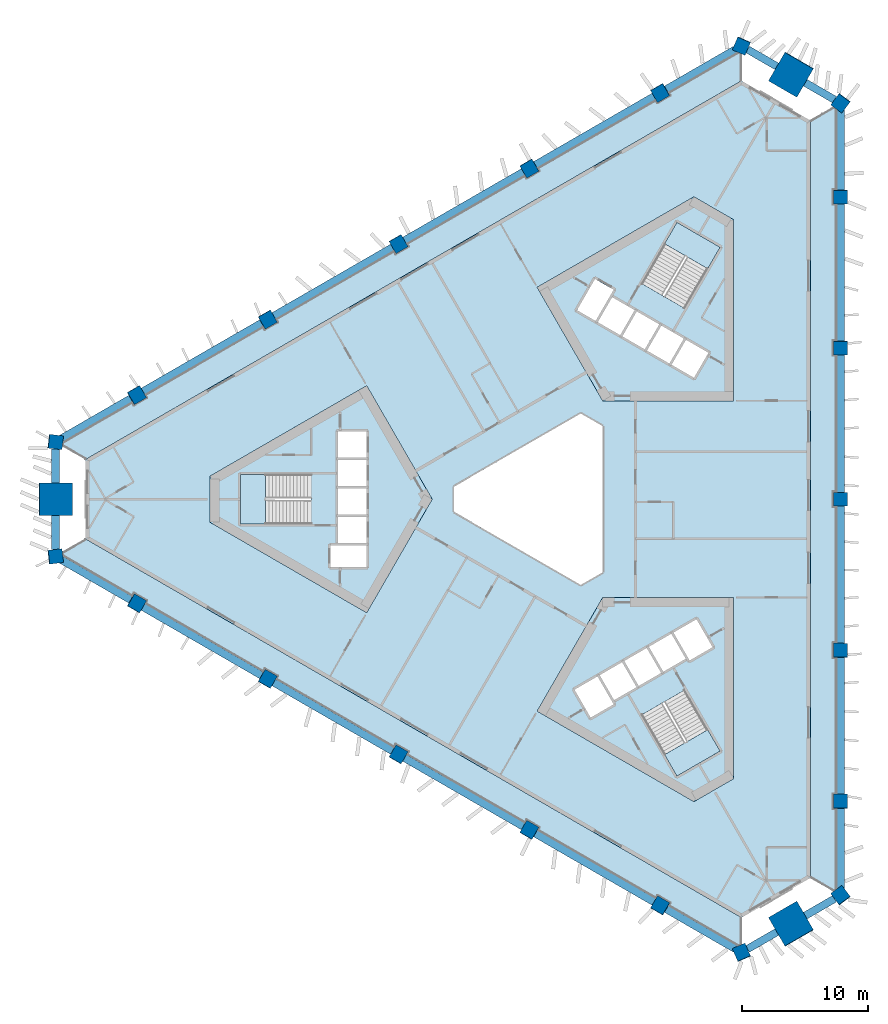
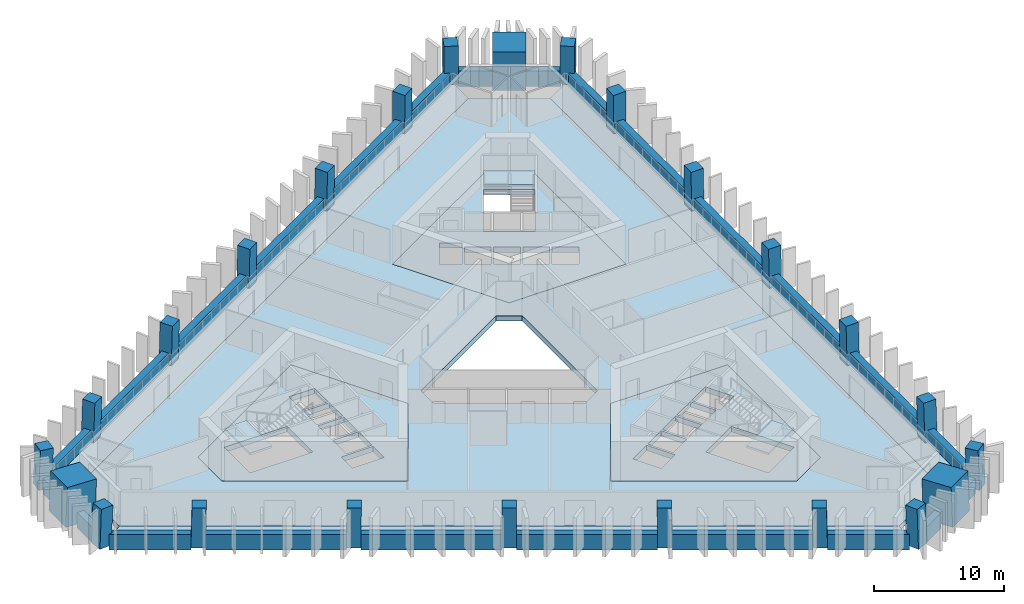
# One storey, part 1 of 10: 24 beams, 24 columns, 10 slabs, 3 elements without a shape of their own.
"""IFC4 building model written with IfcOpenShell, lengths in metres."""

from ifc_helpers import new_model, si_unit, direction, frame, origin, origin_2d, place, context, subcontext, project, spatial, polyline, rectangle, outline, extrude, material, layer, layer_set, material_profile, profile_set, type_object, element, aggregate, save


model = new_model("IFC4")

# Units and contexts
model_context = context("Model", 3, precision=1e-05, world=origin(), true_north=direction((0.0, 1.0)))
body_context = subcontext(model_context, "Body", "Model", "MODEL_VIEW")
ifc_project = project(units=[si_unit("LENGTHUNIT", "METRE"), si_unit("AREAUNIT", "SQUARE_METRE"), si_unit("VOLUMEUNIT", "CUBIC_METRE"), si_unit("PLANEANGLEUNIT", "RADIAN"), si_unit("MASSUNIT", "GRAM", prefix="KILO")], contexts=[model_context])

# Site, building, storey
site_placement = place(None, origin())
site = spatial("IfcSite", under=ifc_project, at=site_placement, CompositionType="ELEMENT")
building_placement = place(site_placement, origin())
building = spatial("IfcBuilding", under=site, at=building_placement, Name="Jabali Bay Hotel Tower and Convention Centre", CompositionType="ELEMENT")
storey_placement = place(building_placement, frame((0.0, 0.0, 64.699951171875)))
storey = spatial("IfcBuildingStorey", under=building, at=storey_placement, Name="L14", CompositionType="ELEMENT", Elevation=64.699951171875)

# Columns
ifc_material_1 = material(Name="Concrete C60", Category="concrete")
ifc_material_profile_1 = material_profile(ifc_material_1, rectangle(XDim=1.10009765625, YDim=1.10009765625, at=origin_2d()), Name="Frame column 1100")
ifc_profile_set_1 = profile_set([ifc_material_profile_1], Name="Concrete C60")
column_type_1 = type_object("IfcColumnType", Name="Frame column 1100", PredefinedType="COLUMN", material=ifc_profile_set_1)
column_1_placement = place(storey_placement, frame((84.057861328125, 112.191162109375, 0.0), z_axis=(-0.00837646992, -0.028097450282, 0.999570091609), x_axis=(0.866172944967, 0.499290516463, 0.0212934163)))
element("IfcColumn", 1, at=column_1_placement, inside=storey, type_object=column_type_1, Name="FC2 F1.1 L14", PredefinedType="COLUMN", context=body_context, shape_type="SweptSolid", body=[
    extrude(rectangle(XDim=1.10009765625, YDim=1.10009765625, at=origin_2d()), origin(), (0.0, 0.0, 1.0), 3.70166015625),
])
column_2_placement = place(storey_placement, frame((73.691650390625, 106.206298828125, 0.0), z_axis=(0.000857578916, -0.022824792675, 0.999739112668), x_axis=(0.866054076895, 0.49983648719, 0.010668737814)))
element("IfcColumn", 2, at=column_2_placement, inside=storey, type_object=column_type_1, Name="FC2 F1.2 L14", PredefinedType="COLUMN", context=body_context, shape_type="SweptSolid", body=[
    extrude(rectangle(XDim=1.10009765625, YDim=1.10009765625, at=origin_2d()), origin(), (0.0, 0.0, 1.0), 3.700927734375),
])
column_3_placement = place(storey_placement, frame((63.3251953125, 100.22119140625, 0.0), z_axis=(0.010093620709, -0.017482414954, 0.999796221231), x_axis=(-0.499902890187, 0.86584616669, 0.020187025825)))
element("IfcColumn", 3, at=column_3_placement, inside=storey, type_object=column_type_1, Name="FC2 F1.3 L14", PredefinedType="COLUMN", context=body_context, shape_type="SweptSolid", body=[
    extrude(rectangle(XDim=1.10009765625, YDim=1.10009765625, at=origin_2d()), origin(), (0.0, 0.0, 1.0), 3.70068359375),
])
column_4_placement = place(storey_placement, frame((52.958984375, 94.236328125, 0.0), z_axis=(0.019328501455, -0.012204002625, 0.999738701537), x_axis=(-0.498096589224, 0.866885952098, 0.020212220507)))
element("IfcColumn", 4, at=column_4_placement, inside=storey, type_object=column_type_1, Name="FC2 F1.4 L14", PredefinedType="COLUMN", context=body_context, shape_type="SweptSolid", body=[
    extrude(rectangle(XDim=1.10009765625, YDim=1.10009765625, at=origin_2d()), origin(), (0.0, 0.0, 1.0), 3.700927734375),
])
for number, where, z_axis, x_axis, name in (
    (5, (42.592529296875, 88.251220703125, 0.0), (0.02855911485, -0.006793507689, 0.999569019734), (-0.500405785832, 0.865555785013, 0.020180003373), "FC2 F1.5 L14"),
    (6, (42.592529296875, 71.748779296875, 0.0), (0.02855911485, 0.006793507689, 0.999569019734), (-0.865319840559, 0.500766443848, 0.021319996519), "FC2 F2.1 L14"),
):
    element("IfcColumn", number, at=place(storey_placement, frame(where, z_axis=z_axis, x_axis=x_axis)), inside=storey, type_object=column_type_1, Name=name, PredefinedType="COLUMN", context=body_context, shape_type="SweptSolid", body=[
        extrude(rectangle(XDim=1.10009765625, YDim=1.10009765625, at=origin_2d()), origin(), (0.0, 0.0, 1.0), 3.70166015625),
    ])
column_5_placement = place(storey_placement, frame((52.958984375, 65.763671875, 0.0), z_axis=(0.019328501455, 0.012204002625, 0.999738701537), x_axis=(-0.866906106124, 0.498357109285, 0.010676834304)))
element("IfcColumn", 7, at=column_5_placement, inside=storey, type_object=column_type_1, Name="FC2 F2.2 L14", PredefinedType="COLUMN", context=body_context, shape_type="SweptSolid", body=[
    extrude(rectangle(XDim=1.10009765625, YDim=1.10009765625, at=origin_2d()), origin(), (0.0, 0.0, 1.0), 3.700927734375),
])
column_6_placement = place(storey_placement, frame((63.3251953125, 59.77880859375, 0.0), z_axis=(0.010093620709, 0.017482414954, 0.999796221231), x_axis=(-0.866022643586, 0.500004780773, 1.3036e-08)))
element("IfcColumn", 8, at=column_6_placement, inside=storey, type_object=column_type_1, Name="FC2 F2.3 L14", PredefinedType="COLUMN", context=body_context, shape_type="SweptSolid", body=[
    extrude(rectangle(XDim=1.10009765625, YDim=1.10009765625, at=origin_2d()), origin(), (0.0, 0.0, 1.0), 3.70068359375),
])
column_7_placement = place(storey_placement, frame((73.691650390625, 53.793701171875, 0.0), z_axis=(0.000857578916, 0.022824792675, 0.999739112668), x_axis=(-0.499949597911, -0.865818985073, 0.020196153983)))
element("IfcColumn", 9, at=column_7_placement, inside=storey, type_object=column_type_1, Name="FC2 F2.4 L14", PredefinedType="COLUMN", context=body_context, shape_type="SweptSolid", body=[
    extrude(rectangle(XDim=1.10009765625, YDim=1.10009765625, at=origin_2d()), origin(), (0.0, 0.0, 1.0), 3.700927734375),
])
for number, where, z_axis, x_axis, name in (
    (10, (84.057861328125, 47.808837890625, 0.0), (-0.00837646992, 0.028097450282, 0.999570091609), (-0.499674157986, -0.865978933611, 0.020154959265), "FC2 F2.5 L14"),
    (11, (98.349365234375, 56.06005859375, 0.0), (-0.020182659751, 0.021303918626, 0.999569308901), (0.000228267203, -0.99977282903, 0.021312865295), "FC2 F0.1 L14"),
):
    element("IfcColumn", number, at=place(storey_placement, frame(where, z_axis=z_axis, x_axis=x_axis)), inside=storey, type_object=column_type_1, Name=name, PredefinedType="COLUMN", context=body_context, shape_type="SweptSolid", body=[
        extrude(rectangle(XDim=1.10009765625, YDim=1.10009765625, at=origin_2d()), origin(), (0.0, 0.0, 1.0), 3.70166015625),
    ])
column_8_placement = place(storey_placement, frame((98.349365234375, 68.030029296875, 0.0), z_axis=(-0.020186088539, 0.010686752756, 0.999739123544), x_axis=(-0.001012906877, -0.999942577175, 0.010668475618)))
element("IfcColumn", 12, at=column_8_placement, inside=storey, type_object=column_type_1, Name="FC2 F0.2 L14", PredefinedType="COLUMN", context=body_context, shape_type="SweptSolid", body=[
    extrude(rectangle(XDim=1.10009765625, YDim=1.10009765625, at=origin_2d()), origin(), (0.0, 0.0, 1.0), 3.700927734375),
])
column_9_placement = place(storey_placement, frame((98.349365234375, 80.0, 0.0), z_axis=(-0.020187241331, 0.0, 0.99979621688), x_axis=(0.0, -1.0, 0.0)))
element("IfcColumn", 13, at=column_9_placement, inside=storey, type_object=column_type_1, Name="FC2 F0.3 L14", PredefinedType="COLUMN", context=body_context, shape_type="SweptSolid", body=[
    extrude(rectangle(XDim=1.10009765625, YDim=1.10009765625, at=origin_2d()), origin(), (0.0, 0.0, 1.0), 3.70068359375),
])
column_10_placement = place(storey_placement, frame((98.349365234375, 91.969970703125, 0.0), z_axis=(-0.020186088539, -0.010686752756, 0.999739123544), x_axis=(0.999795727061, 0.00079728784, 0.020195754082)))
element("IfcColumn", 14, at=column_10_placement, inside=storey, type_object=column_type_1, Name="FC2 F0.4 L14", PredefinedType="COLUMN", context=body_context, shape_type="SweptSolid", body=[
    extrude(rectangle(XDim=1.10009765625, YDim=1.10009765625, at=origin_2d()), origin(), (0.0, 0.0, 1.0), 3.700927734375),
])
column_11_placement = place(storey_placement, frame((98.349365234375, 103.93994140625, 0.0), z_axis=(-0.020182659751, -0.021303918626, 0.999569308901), x_axis=(0.999796283319, -0.000658319199, 0.020173211851)))
element("IfcColumn", 15, at=column_11_placement, inside=storey, type_object=column_type_1, Name="FC2 F0.5 L14", PredefinedType="COLUMN", context=body_context, shape_type="SweptSolid", body=[
    extrude(rectangle(XDim=1.10009765625, YDim=1.10009765625, at=origin_2d()), origin(), (0.0, 0.0, 1.0), 3.70166015625),
])
for number, where, z_axis, x_axis, name in (
    (16, (98.349365234375, 48.62255859375, 0.0), (-0.02017878048, 0.028949296179, 0.999377183584), (-0.801715105427, -0.59770529642, 0.00112621596), "FC2 V0 L14"),
    (17, (98.349365234375, 111.37744140625, 0.0), (-0.02017878048, -0.028949296179, 0.999377183584), (0.597365638909, 0.801193058434, 0.035270052007), "FC2 V1 L14"),
    (18, (90.4990234375, 115.909912109375, 0.0), (-0.015035141917, -0.031982648376, 0.99937533225), (0.918093083329, -0.396363241005, 0.001127618021), "FC2 V2 L14"),
    (19, (36.151611328125, 84.532470703125, 0.0), (0.03521388716, -0.002967462401, 0.999375393092), (-0.992658687507, 0.115677043011, 0.035320699839), "FC2 V3 L14"),
    (20, (36.151611328125, 75.467529296875, 0.0), (0.03521388716, 0.002967462401, 0.999375393092), (-0.11570960318, 0.993282445172, 0.001127761007), "FC2 V4 L14"),
    (21, (90.4990234375, 44.090087890625, 0.0), (-0.015035141917, 0.031982648376, 0.99937533225), (0.396079581461, -0.917536534086, 0.03532242584), "FC2 V5 L14"),
):
    element("IfcColumn", number, at=place(storey_placement, frame(where, z_axis=z_axis, x_axis=x_axis)), inside=storey, type_object=column_type_1, Name=name, PredefinedType="COLUMN", context=body_context, shape_type="SweptSolid", body=[
        extrude(rectangle(XDim=1.10009765625, YDim=1.10009765625, at=origin_2d()), origin(), (0.0, 0.0, 1.0), 3.7021484375),
    ])
ifc_material_2 = material(Name="Concrete C70", Category="concrete")
ifc_material_profile_2 = material_profile(ifc_material_2, rectangle(XDim=2.60009765625, YDim=2.60009765625, at=origin_2d()), Name="Mega column 2600")
ifc_profile_set_2 = profile_set([ifc_material_profile_2], Name="Concrete C70")
column_type_2 = type_object("IfcColumnType", Name="Mega column 2600", PredefinedType="COLUMN", material=ifc_profile_set_2)
for number, where, z_axis, x_axis, name in (
    (22, (94.42431640625, 113.643798828125, 0.0), (-0.017607037296, -0.030466109479, 0.999380712447), (0.865812389079, -0.500368770925, 1.01334e-07), "MC2 M1 L14"),
    (23, (36.151611328125, 80.0, 0.0), (0.035214042205, 0.0, 0.999379793288), (0.0, 1.0, 0.0), "MC2 M0 L14"),
    (24, (94.42431640625, 46.356201171875, 0.0), (-0.017607037296, 0.030466109479, 0.999380712447), (-0.865810468985, -0.500372093343, 3.3778e-08), "MC2 M2 L14"),
):
    element("IfcColumn", number, at=place(storey_placement, frame(where, z_axis=z_axis, x_axis=x_axis)), inside=storey, type_object=column_type_2, Name=name, PredefinedType="COLUMN", context=body_context, shape_type="SweptSolid", body=[
        extrude(rectangle(XDim=2.60009765625, YDim=2.60009765625, at=origin_2d()), origin(), (0.0, 0.0, 1.0), 3.7021484375),
    ])

# Beams
ifc_material_profile_3 = material_profile(ifc_material_1, rectangle(XDim=0.60009765625, YDim=1.449951171875, at=origin_2d()), Name="Spandrel 600x1450")
ifc_profile_set_3 = profile_set([ifc_material_profile_3], Name="Concrete C60")
beam_type = type_object("IfcBeamType", Name="Spandrel 600x1450", PredefinedType="SPANDREL", material=ifc_profile_set_3)
beam_1_placement = place(storey_placement, frame((93.291748046875, 114.2822265625, 0.375), z_axis=(-0.865993009513, 0.500056104326, 0.0), x_axis=(-0.500056104326, -0.865993009513, 0.0)))
element("IfcBeam", 25, at=beam_1_placement, inside=storey, type_object=beam_type, Name="Spandrel M1-V2 L14", PredefinedType="SPANDREL", context=body_context, shape_type="SweptSolid", body=[
    extrude(rectangle(XDim=0.60009765625, YDim=1.449951171875, at=origin_2d()), origin(), (0.0, 0.0, 1.0), 2.681396484375),
])
beam_2_placement = place(storey_placement, frame((90.01708984375, 115.623046875, 0.375), z_axis=(-0.866019360958, -0.500010466337, 0.0), x_axis=(0.500010466337, -0.866019360958, 0.0)))
element("IfcBeam", 26, at=beam_2_placement, inside=storey, type_object=beam_type, Name="Spandrel V2-F1.1 L14", PredefinedType="SPANDREL", context=body_context, shape_type="SweptSolid", body=[
    extrude(rectangle(XDim=0.60009765625, YDim=1.449951171875, at=origin_2d()), origin(), (0.0, 0.0, 1.0), 6.334716796875),
])
for number, where, z_axis, x_axis, name in (
    (27, (83.578369140625, 111.90576171875, 0.375), (-0.866019457076, -0.500010299859, 0.0), (0.500010299859, -0.866019457076, 0.0), "Spandrel F1.1-F1.2 L14"),
    (28, (73.215576171875, 105.922607421875, 0.375), (-0.866029186229, -0.499993448556, 0.0), (0.499993448556, -0.866029186229, 0.0), "Spandrel F1.2-F1.3 L14"),
    (29, (62.852783203125, 99.939697265625, 0.375), (-0.866019457076, -0.500010299859, 0.0), (0.500010299859, -0.866019457076, 0.0), "Spandrel F1.3-F1.4 L14"),
    (30, (52.489990234375, 93.95654296875, 0.375), (-0.866034803065, -0.499983719616, 0.0), (0.499983719616, -0.866034803065, 0.0), "Spandrel F1.4-F1.5 L14"),
):
    element("IfcBeam", number, at=place(storey_placement, frame(where, z_axis=z_axis, x_axis=x_axis)), inside=storey, type_object=beam_type, Name=name, PredefinedType="SPANDREL", context=body_context, shape_type="SweptSolid", body=[
        extrude(rectangle(XDim=0.60009765625, YDim=1.449951171875, at=origin_2d()), origin(), (0.0, 0.0, 1.0), 10.865966796875),
    ])
beam_3_placement = place(storey_placement, frame((42.126953125, 87.9736328125, 0.375), z_axis=(-0.866026414276, -0.499998249773, 0.0), x_axis=(0.499998249773, -0.866026414276, 0.0)))
element("IfcBeam", 31, at=beam_3_placement, inside=storey, type_object=beam_type, Name="Spandrel F1.5-V3 L14", PredefinedType="SPANDREL", context=body_context, shape_type="SweptSolid", body=[
    extrude(rectangle(XDim=0.60009765625, YDim=1.449951171875, at=origin_2d()), origin(), (0.0, 0.0, 1.0), 6.33447265625),
])
for number, where, z_axis, x_axis, name in (
    (32, (36.164794921875, 83.9814453125, 0.375), (0.0, -1.0, 0.0), (1.0, 0.0, 0.0), "Spandrel V3-M0 L14"),
    (33, (36.164794921875, 78.699951171875, 0.375), (0.0, -1.0, 0.0), (1.0, 0.0, 0.0), "Spandrel M0-V4 L14"),
):
    element("IfcBeam", number, at=place(storey_placement, frame(where, z_axis=z_axis, x_axis=x_axis)), inside=storey, type_object=beam_type, Name=name, PredefinedType="SPANDREL", context=body_context, shape_type="SweptSolid", body=[
        extrude(rectangle(XDim=0.60009765625, YDim=1.449951171875, at=origin_2d()), origin(), (0.0, 0.0, 1.0), 2.681396484375),
    ])
beam_4_placement = place(storey_placement, frame((36.64111328125, 75.193603515625, 0.375), z_axis=(0.866026414276, -0.499998249773, 0.0), x_axis=(0.499998249773, 0.866026414276, 0.0)))
element("IfcBeam", 34, at=beam_4_placement, inside=storey, type_object=beam_type, Name="Spandrel V4-F2.1 L14", PredefinedType="SPANDREL", context=body_context, shape_type="SweptSolid", body=[
    extrude(rectangle(XDim=0.60009765625, YDim=1.449951171875, at=origin_2d()), origin(), (0.0, 0.0, 1.0), 6.33447265625),
])
for number, where, z_axis, x_axis, name in (
    (35, (43.07958984375, 71.476318359375, 0.375), (0.866034803065, -0.499983719616, 0.0), (0.499983719616, 0.866034803065, 0.0), "Spandrel F2.1-F2.2 L14"),
    (36, (53.442626953125, 65.493408203125, 0.375), (0.866019457076, -0.500010299859, 0.0), (0.500010299859, 0.866019457076, 0.0), "Spandrel F2.2-F2.3 L14"),
    (37, (63.805419921875, 59.51025390625, 0.375), (0.866029186229, -0.499993448556, 0.0), (0.499993448556, 0.866029186229, 0.0), "Spandrel F2.3-F2.4 L14"),
    (38, (74.168212890625, 53.52734375, 0.375), (0.866019457076, -0.500010299859, 0.0), (0.500010299859, 0.866019457076, 0.0), "Spandrel F2.4-F2.5 L14"),
):
    element("IfcBeam", number, at=place(storey_placement, frame(where, z_axis=z_axis, x_axis=x_axis)), inside=storey, type_object=beam_type, Name=name, PredefinedType="SPANDREL", context=body_context, shape_type="SweptSolid", body=[
        extrude(rectangle(XDim=0.60009765625, YDim=1.449951171875, at=origin_2d()), origin(), (0.0, 0.0, 1.0), 10.865966796875),
    ])
beam_5_placement = place(storey_placement, frame((84.531005859375, 47.54443359375, 0.375), z_axis=(0.866019360958, -0.500010466337, 0.0), x_axis=(0.500010466337, 0.866019360958, 0.0)))
element("IfcBeam", 39, at=beam_5_placement, inside=storey, type_object=beam_type, Name="Spandrel F2.5-V5 L14", PredefinedType="SPANDREL", context=body_context, shape_type="SweptSolid", body=[
    extrude(rectangle(XDim=0.60009765625, YDim=1.449951171875, at=origin_2d()), origin(), (0.0, 0.0, 1.0), 6.334716796875),
])
for number, where, z_axis, x_axis, name in (
    (40, (90.9697265625, 44.376953125, 0.375), (0.865993009513, 0.500056104326, 0.0), (-0.500056104326, 0.865993009513, 0.0), "Spandrel V5-M2 L14"),
    (41, (95.54345703125, 47.017578125, 0.375), (0.865993009513, 0.500056104326, 0.0), (-0.500056104326, 0.865993009513, 0.0), "Spandrel M2-V0 L14"),
):
    element("IfcBeam", number, at=place(storey_placement, frame(where, z_axis=z_axis, x_axis=x_axis)), inside=storey, type_object=beam_type, Name=name, PredefinedType="SPANDREL", context=body_context, shape_type="SweptSolid", body=[
        extrude(rectangle(XDim=0.60009765625, YDim=1.449951171875, at=origin_2d()), origin(), (0.0, 0.0, 1.0), 2.681396484375),
    ])
beam_6_placement = place(storey_placement, frame((98.341796875, 49.183349609375, 0.375), z_axis=(0.0, 1.0, 0.0), x_axis=(-1.0, 0.0, 0.0)))
element("IfcBeam", 42, at=beam_6_placement, inside=storey, type_object=beam_type, Name="Spandrel V0-F0.1 L14", PredefinedType="SPANDREL", context=body_context, shape_type="SweptSolid", body=[
    extrude(rectangle(XDim=0.60009765625, YDim=1.449951171875, at=origin_2d()), origin(), (0.0, 0.0, 1.0), 6.334716796875),
])
for number, where, z_axis, x_axis, name in (
    (43, (98.341796875, 56.617919921875, 0.375), (0.0, 1.0, 0.0), (-1.0, 0.0, 0.0), "Spandrel F0.1-F0.2 L14"),
    (44, (98.341796875, 68.583984375, 0.375), (0.0, 1.0, 0.0), (-1.0, 0.0, 0.0), "Spandrel F0.2-F0.3 L14"),
    (45, (98.341796875, 80.550048828125, 0.375), (0.0, 1.0, 0.0), (-1.0, 0.0, 0.0), "Spandrel F0.3-F0.4 L14"),
    (46, (98.341796875, 92.51611328125, 0.375), (0.0, 1.0, 0.0), (-1.0, 0.0, 0.0), "Spandrel F0.4-F0.5 L14"),
):
    element("IfcBeam", number, at=place(storey_placement, frame(where, z_axis=z_axis, x_axis=x_axis)), inside=storey, type_object=beam_type, Name=name, PredefinedType="SPANDREL", context=body_context, shape_type="SweptSolid", body=[
        extrude(rectangle(XDim=0.60009765625, YDim=1.449951171875, at=origin_2d()), origin(), (0.0, 0.0, 1.0), 10.865966796875),
    ])
beam_7_placement = place(storey_placement, frame((98.341796875, 104.48193359375, 0.375), z_axis=(0.0, 1.0, 0.0), x_axis=(-1.0, 0.0, 0.0)))
element("IfcBeam", 47, at=beam_7_placement, inside=storey, type_object=beam_type, Name="Spandrel F0.5-V1 L14", PredefinedType="SPANDREL", context=body_context, shape_type="SweptSolid", body=[
    extrude(rectangle(XDim=0.60009765625, YDim=1.449951171875, at=origin_2d()), origin(), (0.0, 0.0, 1.0), 6.334716796875),
])
beam_8_placement = place(storey_placement, frame((97.865478515625, 111.6416015625, 0.375), z_axis=(-0.865993009513, 0.500056104326, 0.0), x_axis=(-0.500056104326, -0.865993009513, 0.0)))
element("IfcBeam", 48, at=beam_8_placement, inside=storey, type_object=beam_type, Name="Spandrel V1-M1 L14", PredefinedType="SPANDREL", context=body_context, shape_type="SweptSolid", body=[
    extrude(rectangle(XDim=0.60009765625, YDim=1.449951171875, at=origin_2d()), origin(), (0.0, 0.0, 1.0), 2.681396484375),
])

# Slabs
ifc_material_3 = material(Name="Concrete C40", Category="concrete")
ifc_layer_1 = layer(ifc_material_3, 0.5)
ifc_layer_set_1 = layer_set([ifc_layer_1], Name="Concrete C40")
slab_type_1 = type_object("IfcSlabType", Name="Core floor slab 500", PredefinedType="FLOOR", material=ifc_layer_set_1)
slab_1_placement = place(storey_placement, frame((0.0, 0.0, -0.5)))
element("IfcSlab", 49, at=slab_1_placement, inside=storey, type_object=slab_type_1, Name="Core floor slab 1 L14", PredefinedType="FLOOR", context=body_context, shape_type="SweptSolid", body=[
    extrude(outline(polyline([(66.0, 80.0), (60.81005859375, 88.9892578125), (48.39697265625, 81.82275390625), (48.39697265625, 78.17724609375), (60.81005859375, 71.0107421875), (66.0, 80.0)]), holes=[polyline([(60.800048828125, 74.64990234375), (60.800048828125, 76.35009765625), (57.949951171875, 76.35009765625), (57.949951171875, 74.64990234375), (60.800048828125, 74.64990234375)]), polyline([(58.52001953125, 76.550048828125), (60.800048828125, 76.550048828125), (60.800048828125, 78.60009765625), (58.52001953125, 78.60009765625), (58.52001953125, 76.550048828125)]), polyline([(58.52001953125, 78.800048828125), (60.800048828125, 78.800048828125), (60.800048828125, 80.85009765625), (58.52001953125, 80.85009765625), (58.52001953125, 78.800048828125)]), polyline([(56.409912109375, 81.97509765625), (50.820068359375, 81.97509765625), (50.820068359375, 78.02490234375), (56.409912109375, 78.02490234375), (56.409912109375, 81.97509765625)]), polyline([(58.52001953125, 81.050048828125), (60.800048828125, 81.050048828125), (60.800048828125, 83.10009765625), (58.52001953125, 83.10009765625), (58.52001953125, 81.050048828125)]), polyline([(58.52001953125, 83.300048828125), (60.800048828125, 83.300048828125), (60.800048828125, 85.35009765625), (58.52001953125, 85.35009765625), (58.52001953125, 83.300048828125)])]), origin(), (0.0, 0.0, 1.0), 0.5),
])
slab_2_placement = place(storey_placement, frame((0.0, 0.0, -0.5)))
element("IfcSlab", 50, at=slab_2_placement, inside=storey, type_object=slab_type_1, Name="Core floor slab 2 L14", PredefinedType="FLOOR", context=body_context, shape_type="SweptSolid", body=[
    extrude(outline(polyline([(79.5, 87.794189453125), (89.8798828125, 87.794189453125), (89.8798828125, 102.127685546875), (86.72314453125, 103.9501953125), (74.31005859375, 96.78369140625), (79.5, 87.794189453125)]), holes=[polyline([(84.957763671875, 90.6474609375), (86.733154296875, 89.62255859375), (87.873291015625, 91.59716796875), (86.097900390625, 92.6220703125), (84.957763671875, 90.6474609375)]), polyline([(84.1494140625, 93.7470703125), (83.00927734375, 91.7724609375), (84.78466796875, 90.74755859375), (85.924560546875, 92.72216796875), (84.1494140625, 93.7470703125)]), polyline([(82.20068359375, 94.8720703125), (81.060791015625, 92.8974609375), (82.836181640625, 91.87255859375), (83.97607421875, 93.84716796875), (82.20068359375, 94.8720703125)]), polyline([(79.1123046875, 94.0224609375), (80.887451171875, 92.99755859375), (82.027587890625, 94.97216796875), (80.252197265625, 95.9970703125), (79.1123046875, 94.0224609375)]), polyline([(78.891845703125, 97.440673828125), (77.466796875, 94.97265625), (78.93896484375, 94.12255859375), (80.364013671875, 96.5908203125), (78.891845703125, 97.440673828125)]), polyline([(82.584716796875, 97.0869140625), (86.00537109375, 95.11181640625), (88.80029296875, 99.952880859375), (85.379638671875, 101.927978515625), (82.584716796875, 97.0869140625)])]), origin(), (0.0, 0.0, 1.0), 0.5),
])
slab_3_placement = place(storey_placement, frame((0.0, 0.0, -0.5)))
element("IfcSlab", 51, at=slab_3_placement, inside=storey, type_object=slab_type_1, Name="Core floor slab 3 L14", PredefinedType="FLOOR", context=body_context, shape_type="SweptSolid", body=[
    extrude(outline(polyline([(79.5, 72.205810546875), (74.31005859375, 63.21630859375), (86.72314453125, 56.0498046875), (89.8798828125, 57.872314453125), (89.8798828125, 72.205810546875), (79.5, 72.205810546875)]), holes=[polyline([(82.584716796875, 62.9130859375), (85.379638671875, 58.072021484375), (88.80029296875, 60.047119140625), (86.00537109375, 64.88818359375), (82.584716796875, 62.9130859375)]), polyline([(80.365478515625, 63.756591796875), (79.090576171875, 65.96484375), (77.27197265625, 64.9150390625), (78.546875, 62.70654296875), (80.365478515625, 63.756591796875)]), polyline([(82.17919921875, 65.115478515625), (81.0390625, 67.08984375), (79.263671875, 66.06494140625), (80.40380859375, 64.09033203125), (82.17919921875, 65.115478515625)]), polyline([(82.98779296875, 68.21484375), (81.21240234375, 67.18994140625), (82.352294921875, 65.21533203125), (84.127685546875, 66.240478515625), (82.98779296875, 68.21484375)]), polyline([(86.076171875, 67.365478515625), (84.936279296875, 69.33984375), (83.160888671875, 68.31494140625), (84.30078125, 66.34033203125), (86.076171875, 67.365478515625)]), polyline([(88.203125, 68.281494140625), (86.927978515625, 70.489990234375), (85.109375, 69.43994140625), (86.384521484375, 67.231689453125), (88.203125, 68.281494140625)])]), origin(), (0.0, 0.0, 1.0), 0.5),
])
ifc_layer_2 = layer(ifc_material_3, 0.199951171875)
ifc_layer_set_2 = layer_set([ifc_layer_2], Name="Concrete C40")
slab_type_2 = type_object("IfcSlabType", Name="Loggia slab 200", PredefinedType="FLOOR", material=ifc_layer_set_2)
slab_4_placement = place(storey_placement, frame((0.0, 0.0, -0.199951171875)))
element("IfcSlab", 52, at=slab_4_placement, inside=storey, type_object=slab_type_2, Name="Loggia slab east face L14", PredefinedType="FLOOR", context=body_context, shape_type="SweptSolid", body=[
    extrude(outline(polyline([(95.949462890625, 109.991943359375), (97.83056640625, 111.078125), (98.049560546875, 110.915283203125), (98.049560546875, 104.489990234375), (97.799560546875, 104.489990234375), (97.799560546875, 103.389892578125), (98.049560546875, 103.389892578125), (98.049560546875, 92.52001953125), (97.799560546875, 92.52001953125), (97.799560546875, 91.419921875), (98.049560546875, 91.419921875), (98.049560546875, 80.550048828125), (97.799560546875, 80.550048828125), (97.799560546875, 79.449951171875), (98.049560546875, 79.449951171875), (98.049560546875, 68.580078125), (97.799560546875, 68.580078125), (97.799560546875, 67.47998046875), (98.049560546875, 67.47998046875), (98.049560546875, 56.610107421875), (97.799560546875, 56.610107421875), (97.799560546875, 55.510009765625), (98.049560546875, 55.510009765625), (98.049560546875, 49.084716796875), (97.83056640625, 48.921875), (95.949462890625, 50.008056640625), (95.949462890625, 109.991943359375)])), origin(), (0.0, 0.0, 1.0), 0.199951171875),
])
slab_5_placement = place(storey_placement, frame((0.0, 0.0, -0.199951171875)))
element("IfcSlab", 53, at=slab_5_placement, inside=storey, type_object=slab_type_2, Name="Loggia slab north-west face L14", PredefinedType="FLOOR", context=body_context, shape_type="SweptSolid", body=[
    extrude(outline(polyline([(38.551513671875, 83.146728515625), (36.67041015625, 84.23291015625), (36.701904296875, 84.50390625), (42.266357421875, 87.71630859375), (42.391357421875, 87.5), (43.343994140625, 88.0498046875), (43.218994140625, 88.266357421875), (52.632568359375, 93.701416015625), (52.757568359375, 93.48486328125), (53.710205078125, 94.034912109375), (53.585205078125, 94.25146484375), (62.9990234375, 99.6865234375), (63.1240234375, 99.469970703125), (64.07666015625, 100.02001953125), (63.95166015625, 100.236328125), (73.365234375, 105.67138671875), (73.490234375, 105.454833984375), (74.44287109375, 106.0048828125), (74.31787109375, 106.221435546875), (83.731689453125, 111.656494140625), (83.856689453125, 111.43994140625), (84.809326171875, 111.989990234375), (84.684326171875, 112.206298828125), (90.24853515625, 115.4189453125), (90.4990234375, 115.31103515625), (90.4990234375, 113.138671875), (38.551513671875, 83.146728515625)])), origin(), (0.0, 0.0, 1.0), 0.199951171875),
])
slab_6_placement = place(storey_placement, frame((0.0, 0.0, -0.199951171875)))
element("IfcSlab", 54, at=slab_6_placement, inside=storey, type_object=slab_type_2, Name="Loggia slab south-west face L14", PredefinedType="FLOOR", context=body_context, shape_type="SweptSolid", body=[
    extrude(outline(polyline([(90.4990234375, 46.861328125), (90.4990234375, 44.68896484375), (90.24853515625, 44.5810546875), (84.684326171875, 47.793701171875), (84.809326171875, 48.010009765625), (83.856689453125, 48.56005859375), (83.731689453125, 48.343505859375), (74.31787109375, 53.778564453125), (74.44287109375, 53.9951171875), (73.490234375, 54.545166015625), (73.365234375, 54.32861328125), (63.95166015625, 59.763671875), (64.07666015625, 59.97998046875), (63.1240234375, 60.530029296875), (62.9990234375, 60.3134765625), (53.585205078125, 65.74853515625), (53.710205078125, 65.965087890625), (52.757568359375, 66.51513671875), (52.632568359375, 66.298583984375), (43.218994140625, 71.733642578125), (43.343994140625, 71.9501953125), (42.391357421875, 72.5), (42.266357421875, 72.28369140625), (36.701904296875, 75.49609375), (36.67041015625, 75.76708984375), (38.551513671875, 76.853271484375), (90.4990234375, 46.861328125)])), origin(), (0.0, 0.0, 1.0), 0.199951171875),
])
ifc_layer_3 = layer(ifc_material_3, 0.5)
ifc_layer_set_3 = layer_set([ifc_layer_3], Name="Concrete C40")
slab_type_3 = type_object("IfcSlabType", Name="Post-tensioned flat slab 500", PredefinedType="FLOOR", material=ifc_layer_set_3)
slab_7_placement = place(storey_placement, frame((0.0, 0.0, -0.5)))
element("IfcSlab", 55, at=slab_7_placement, inside=storey, type_object=slab_type_3, Name="Floor slab L14", PredefinedType="FLOOR", context=body_context, shape_type="SweptSolid", body=[
    extrude(outline(polyline([(90.4990234375, 113.138671875), (95.949462890625, 109.991943359375), (95.949462890625, 50.008056640625), (90.4990234375, 46.861328125), (38.551513671875, 76.853271484375), (38.551513671875, 83.146728515625), (90.4990234375, 113.138671875)]), holes=[polyline([(67.73193359375, 79.0), (77.76806640625, 73.205810546875), (79.5, 74.205810546875), (79.5, 85.794189453125), (77.76806640625, 86.794189453125), (67.73193359375, 81.0), (67.73193359375, 79.0)]), polyline([(48.39697265625, 78.17724609375), (60.81005859375, 71.0107421875), (66.0, 80.0), (60.81005859375, 88.9892578125), (48.39697265625, 81.82275390625), (48.39697265625, 78.17724609375)]), polyline([(89.8798828125, 102.127685546875), (86.72314453125, 103.9501953125), (74.31005859375, 96.78369140625), (79.5, 87.794189453125), (89.8798828125, 87.794189453125), (89.8798828125, 102.127685546875)]), polyline([(74.31005859375, 63.21630859375), (86.72314453125, 56.0498046875), (89.8798828125, 57.872314453125), (89.8798828125, 72.205810546875), (79.5, 72.205810546875), (74.31005859375, 63.21630859375)])]), origin(), (0.0, 0.0, 1.0), 0.5),
])

# Stair, slab
stair_type = type_object("IfcStairType", Name="Exit stair 1900", PredefinedType="HALF_TURN_STAIR", material=ifc_material_3)
stair_1_placement = place(storey_placement, origin())
stair_1 = element("IfcStair", 56, at=stair_1_placement, inside=storey, type_object=stair_type, Name="L14 Exit Stair 1", PredefinedType="HALF_TURN_STAIR")
ifc_layer_4 = layer(ifc_material_3, 0.199951171875)
ifc_layer_set_4 = layer_set([ifc_layer_4], Name="Concrete C40")
slab_type_4 = type_object("IfcSlabType", Name="Stair landing 200", PredefinedType="LANDING", material=ifc_layer_set_4)
slab_8_placement = place(storey_placement, frame((0.0, 0.0, 1.650146484375)))
slab_8 = element("IfcSlab", 57, at=slab_8_placement, type_object=slab_type_4, Name="ST1 landing 1", PredefinedType="LANDING", context=body_context, shape_type="SweptSolid", body=[
    extrude(outline(polyline([(52.782958984375, 81.97509765625), (50.820068359375, 81.97509765625), (50.820068359375, 78.02490234375), (52.782958984375, 78.02490234375), (52.782958984375, 81.97509765625)])), origin(), (0.0, 0.0, 1.0), 0.199951171875),
])
aggregate(stair_1, [slab_8])

stair_2_placement = place(storey_placement, origin())
stair_2 = element("IfcStair", 58, at=stair_2_placement, inside=storey, type_object=stair_type, Name="L14 Exit Stair 2", PredefinedType="HALF_TURN_STAIR")
slab_9_placement = place(storey_placement, frame((0.0, 0.0, 1.650146484375)))
slab_9 = element("IfcSlab", 59, at=slab_9_placement, type_object=slab_type_4, Name="ST2 landing 1", PredefinedType="LANDING", context=body_context, shape_type="SweptSolid", body=[
    extrude(outline(polyline([(87.81884765625, 98.2529296875), (88.80029296875, 99.952880859375), (85.379638671875, 101.927978515625), (84.398193359375, 100.22802734375), (87.81884765625, 98.2529296875)])), origin(), (0.0, 0.0, 1.0), 0.199951171875),
])
aggregate(stair_2, [slab_9])

stair_3_placement = place(storey_placement, origin())
stair_3 = element("IfcStair", 60, at=stair_3_placement, inside=storey, type_object=stair_type, Name="L14 Exit Stair 3", PredefinedType="HALF_TURN_STAIR")
slab_10_placement = place(storey_placement, frame((0.0, 0.0, 1.650146484375)))
slab_10 = element("IfcSlab", 61, at=slab_10_placement, type_object=slab_type_4, Name="ST3 landing 1", PredefinedType="LANDING", context=body_context, shape_type="SweptSolid", body=[
    extrude(outline(polyline([(84.398193359375, 59.77197265625), (85.379638671875, 58.072021484375), (88.80029296875, 60.047119140625), (87.81884765625, 61.7470703125), (84.398193359375, 59.77197265625)])), origin(), (0.0, 0.0, 1.0), 0.199951171875),
])
aggregate(stair_3, [slab_10])

save(model, "model.ifc")
